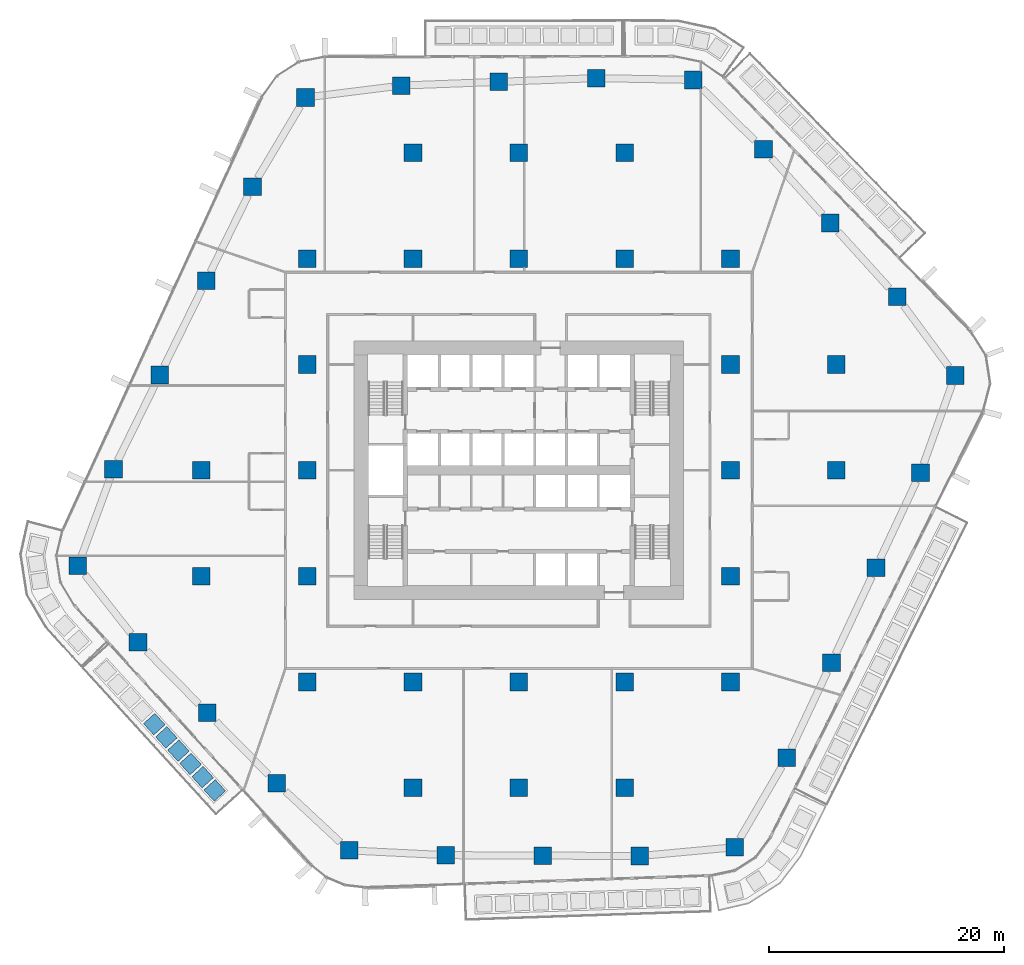
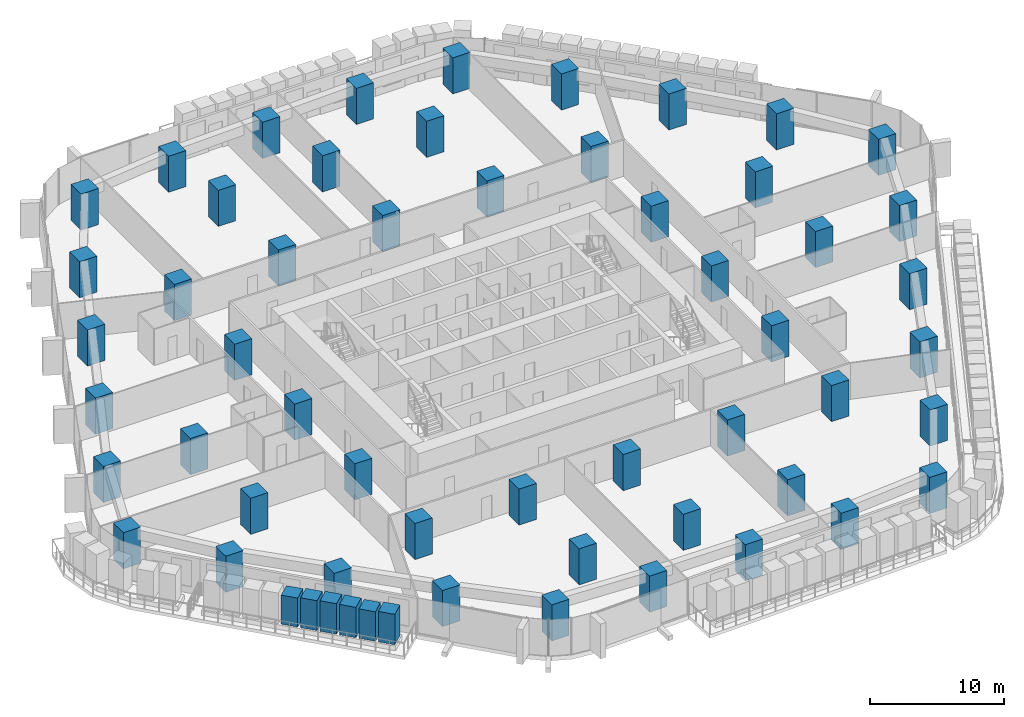
# One storey, part 1 of 26: 52 columns, 6 members.
"""IFC4 building model written with IfcOpenShell, lengths in metres."""

from ifc_helpers import new_model, si_unit, direction, frame, origin, origin_2d, place, context, subcontext, project, spatial, rectangle, extrude, material, material_profile, profile_set, type_object, element, save


model = new_model("IFC4")

# Units and contexts
model_context = context("Model", 3, precision=1e-05, world=origin(), true_north=direction((0.0, 1.0)))
body_context = subcontext(model_context, "Body", "Model", "MODEL_VIEW")
ifc_project = project(units=[si_unit("LENGTHUNIT", "METRE"), si_unit("AREAUNIT", "SQUARE_METRE"), si_unit("VOLUMEUNIT", "CUBIC_METRE"), si_unit("PLANEANGLEUNIT", "RADIAN"), si_unit("MASSUNIT", "GRAM", prefix="KILO")], contexts=[model_context])

# Site, building, storey
site_placement = place(None, origin())
site = spatial("IfcSite", under=ifc_project, at=site_placement, CompositionType="ELEMENT")
building_placement = place(site_placement, origin())
building = spatial("IfcBuilding", under=site, at=building_placement, Name="Dongbaek Canopy Tower", CompositionType="ELEMENT")
storey_placement = place(building_placement, frame((0.0, 0.0, 69.89990234375)))
storey = spatial("IfcBuildingStorey", under=building, at=storey_placement, Name="L13", CompositionType="ELEMENT", Elevation=69.89990234375)

# Columns
ifc_material_1 = material(Name="Concrete C80", Category="concrete")
ifc_material_profile_1 = material_profile(ifc_material_1, rectangle(XDim=1.5, YDim=1.5, at=origin_2d()), Name="RC COLUMN 1500x1500 C80")
ifc_profile_set_1 = profile_set([ifc_material_profile_1], Name="Concrete C80")
column_type = type_object("IfcColumnType", Name="RC COLUMN 1500x1500 C80", PredefinedType="COLUMN", material=ifc_profile_set_1)
for number, where, z_axis, x_axis, name in (
    (1, (18.367919921875, -32.04296875, 0.0), (0.0, 0.0, 1.0), (1.0, 0.0, 0.0), "COL:CZ1-01:L13"),
    (2, (10.277099609375, -32.7900390625, 0.0), (0.0, 0.0, 1.0), (1.0, 0.0, 0.0), "COL:CZ1-02:L13"),
    (3, (2.027099609375, -32.7529296875, 0.0), (0.0, 0.0, 1.0), (1.0, 0.0, 0.0), "COL:CZ1-03:L13"),
    (4, (-6.221923828125, -32.717041015625, 0.0), (0.0, 0.0, 1.0), (1.0, 0.0, 0.0), "COL:CZ1-04:L13"),
    (5, (-14.43408203125, -32.31298828125, 0.0), (0.0, 0.0, 1.0), (1.0, 0.0, 0.0), "COL:CZ1-05:L13"),
    (6, (-20.573974609375, -26.60205078125, 0.0), (0.0, 0.0, 1.0), (1.0, 0.0, 0.0), "COL:CZ1-06:L13"),
    (7, (-26.47802734375, -20.60791015625, 0.0), (0.0, 0.0, 1.0), (1.0, 0.0, 0.0), "COL:CZ1-07:L13"),
    (8, (-32.382080078125, -14.613037109375, 0.0), (0.0, 0.0, 1.0), (1.0, 0.0, 0.0), "COL:CZ1-08:L13"),
    (9, (-37.489013671875, -8.123046875, 0.0), (0.0, 0.0, 1.0), (1.0, 0.0, 0.0), "COL:CZ1-09:L13"),
    (10, (-34.462890625, 0.10302734375, 0.0), (0.0, 0.0, 1.0), (1.0, 0.0, 0.0), "COL:CZ1-10:L13"),
    (11, (-30.52490234375, 8.111083984375, 0.0), (0.0, 0.0, 1.0), (1.0, 0.0, 0.0), "COL:CZ1-11:L13"),
    (12, (-26.5859375, 16.117919921875, 0.0), (0.0, 0.0, 1.0), (1.0, 0.0, 0.0), "COL:CZ1-12:L13"),
    (13, (-22.64794921875, 24.125, 0.0), (0.0, 0.0, 1.0), (1.0, 0.0, 0.0), "COL:CZ1-13:L13"),
    (14, (-18.138916015625, 31.698974609375, 0.0), (0.0, 0.0, 1.0), (1.0, 0.0, 0.0), "COL:CZ1-14:L13"),
    (15, (-10.006103515625, 32.714111328125, 0.0), (0.0, 0.0, 1.0), (1.0, 0.0, 0.0), "COL:CZ1-15:L13"),
    (16, (-1.7080078125, 33.031982421875, 0.0), (0.0, 0.0, 1.0), (1.0, 0.0, 0.0), "COL:CZ1-16:L13"),
    (17, (6.589111328125, 33.34912109375, 0.0), (0.0, 0.0, 1.0), (1.0, 0.0, 0.0), "COL:CZ1-17:L13"),
    (18, (14.830078125, 33.194091796875, 0.0), (0.0, 0.0, 1.0), (1.0, 0.0, 0.0), "COL:CZ1-18:L13"),
    (19, (20.804931640625, 27.297119140625, 0.0), (0.0, 0.0, 1.0), (1.0, 0.0, 0.0), "COL:CZ1-19:L13"),
    (20, (26.48193359375, 21.029052734375, 0.0), (0.0, 0.0, 1.0), (1.0, 0.0, 0.0), "COL:CZ1-20:L13"),
    (21, (32.157958984375, 14.760986328125, 0.0), (0.0, 0.0, 1.0), (1.0, 0.0, 0.0), "COL:CZ1-21:L13"),
    (22, (37.097900390625, 8.06591796875, 0.0), (0.0, 0.0, 1.0), (1.0, 0.0, 0.0), "COL:CZ1-22:L13"),
    (23, (34.14306640625, -0.205078125, 0.0), (0.0, 0.0, 1.0), (1.0, 0.0, 0.0), "COL:CZ1-23:L13"),
    (24, (30.360107421875, -8.283935546875, 0.0), (0.0, 0.0, 1.0), (1.0, 0.0, 0.0), "COL:CZ1-24:L13"),
    (25, (26.575927734375, -16.364013671875, 0.0), (0.0, 0.0, 1.0), (1.0, 0.0, 0.0), "COL:CZ1-25:L13"),
    (26, (22.7919921875, -24.443115234375, 0.0), (0.0, 0.0, 1.0), (1.0, 0.0, 0.0), "COL:CZ1-26:L13"),
    (27, (-27.0, -9.0, 0.0), (0.0, 0.0, 1.0), (1.0, 0.0, 0.0), "COL:CIZ1-01:L13"),
    (28, (-27.0, 0.0, 0.0), (0.0, 0.0, 1.0), (1.0, 0.0, 0.0), "COL:CIZ1-02:L13"),
    (29, (-18.0, -18.0, 0.0), (0.0, 0.0, 1.0), (1.0, 0.0, 0.0), "COL:CIZ1-03:L13"),
    (30, (-18.0, -9.0, 0.0), (0.0, 0.0, 1.0), (1.0, 0.0, 0.0), "COL:CIZ1-04:L13"),
    (31, (-18.0, 0.0, 0.0), (0.0, 0.0, 1.0), (1.0, 0.0, 0.0), "COL:CIZ1-05:L13"),
    (32, (-18.0, 9.0, 0.0), (0.0, 0.0, 1.0), (1.0, 0.0, 0.0), "COL:CIZ1-06:L13"),
    (33, (-18.0, 18.0, 0.0), (0.0, 0.0, 1.0), (1.0, 0.0, 0.0), "COL:CIZ1-07:L13"),
    (34, (-9.0, -27.0, 0.0), (0.0, 0.0, 1.0), (1.0, 0.0, 0.0), "COL:CIZ1-08:L13"),
    (35, (-9.0, -18.0, 0.0), (0.0, 0.0, 1.0), (1.0, 0.0, 0.0), "COL:CIZ1-09:L13"),
    (36, (-9.0, 18.0, 0.0), (0.0, 0.0, 1.0), (1.0, 0.0, 0.0), "COL:CIZ1-10:L13"),
    (37, (-9.0, 27.0, 0.0), (0.0, 0.0, 1.0), (1.0, 0.0, 0.0), "COL:CIZ1-11:L13"),
    (38, (0.0, -27.0, 0.0), (0.0, 0.0, 1.0), (1.0, 0.0, 0.0), "COL:CIZ1-12:L13"),
    (39, (0.0, -18.0, 0.0), (0.0, 0.0, 1.0), (1.0, 0.0, 0.0), "COL:CIZ1-13:L13"),
    (40, (0.0, 18.0, 0.0), (0.0, 0.0, 1.0), (1.0, 0.0, 0.0), "COL:CIZ1-14:L13"),
    (41, (0.0, 27.0, 0.0), (0.0, 0.0, 1.0), (1.0, 0.0, 0.0), "COL:CIZ1-15:L13"),
    (42, (9.0, -27.0, 0.0), (0.0, 0.0, 1.0), (1.0, 0.0, 0.0), "COL:CIZ1-16:L13"),
    (43, (9.0, -18.0, 0.0), (0.0, 0.0, 1.0), (1.0, 0.0, 0.0), "COL:CIZ1-17:L13"),
    (44, (9.0, 18.0, 0.0), (0.0, 0.0, 1.0), (1.0, 0.0, 0.0), "COL:CIZ1-18:L13"),
    (45, (9.0, 27.0, 0.0), (0.0, 0.0, 1.0), (1.0, 0.0, 0.0), "COL:CIZ1-19:L13"),
    (46, (18.0, -18.0, 0.0), (0.0, 0.0, 1.0), (1.0, 0.0, 0.0), "COL:CIZ1-20:L13"),
    (47, (18.0, -9.0, 0.0), (0.0, 0.0, 1.0), (1.0, 0.0, 0.0), "COL:CIZ1-21:L13"),
    (48, (18.0, 0.0, 0.0), (0.0, 0.0, 1.0), (1.0, 0.0, 0.0), "COL:CIZ1-22:L13"),
    (49, (18.0, 9.0, 0.0), (0.0, 0.0, 1.0), (1.0, 0.0, 0.0), "COL:CIZ1-23:L13"),
    (50, (18.0, 18.0, 0.0), (0.0, 0.0, 1.0), (1.0, 0.0, 0.0), "COL:CIZ1-24:L13"),
    (51, (27.0, 0.0, 0.0), (0.0, 0.0, 1.0), (1.0, 0.0, 0.0), "COL:CIZ1-25:L13"),
    (52, (27.0, 9.0, 0.0), (0.0, 0.0, 1.0), (1.0, 0.0, 0.0), "COL:CIZ1-26:L13"),
):
    element("IfcColumn", number, at=place(storey_placement, frame(where, z_axis=z_axis, x_axis=x_axis)), inside=storey, type_object=column_type, Name=name, PredefinedType="COLUMN", context=body_context, shape_type="SweptSolid", body=[
        extrude(rectangle(XDim=1.5, YDim=1.5, at=origin_2d()), origin(), (0.0, 0.0, 1.0), 3.300048828125),
    ])

# Members
ifc_material_2 = material(Name="Concrete C40/50 planter mass with planting", Category="concrete")
ifc_material_profile_2 = material_profile(ifc_material_2, rectangle(XDim=1.300048828125, YDim=1.300048828125, at=origin_2d()), Name="Terrace PLANTER shrub mass 1300 x 1300")
ifc_profile_set_2 = profile_set([ifc_material_profile_2], Name="Concrete C40/50 planter mass with planting")
member_type = type_object("IfcMemberType", Name="Terrace PLANTER shrub mass 1300 x 1300", PredefinedType="USERDEFINED", material=ifc_profile_set_2)
member_1_placement = place(storey_placement, frame((-30.9951171875, -21.578369140625, 0.420166015625), z_axis=(0.0, 0.0, 1.0), x_axis=(-0.738720005108, -0.674012428708, 0.0)))
element("IfcMember", 53, at=member_1_placement, inside=storey, type_object=member_type, Name="Planter shrubs L13 3.5", ObjectType="PLANTER", PredefinedType="USERDEFINED", context=body_context, shape_type="SweptSolid", body=[
    extrude(rectangle(XDim=1.300048828125, YDim=1.300048828125, at=origin_2d()), origin(), (0.0, 0.0, 1.0), 2.64990234375),
])
member_2_placement = place(storey_placement, frame((-29.967041015625, -22.705322265625, 0.420166015625), z_axis=(0.0, 0.0, 1.0), x_axis=(-0.738720005108, -0.674012428708, 0.0)))
element("IfcMember", 54, at=member_2_placement, inside=storey, type_object=member_type, Name="Planter shrubs L13 3.6", ObjectType="PLANTER", PredefinedType="USERDEFINED", context=body_context, shape_type="SweptSolid", body=[
    extrude(rectangle(XDim=1.300048828125, YDim=1.300048828125, at=origin_2d()), origin(), (0.0, 0.0, 1.0), 2.72998046875),
])
member_3_placement = place(storey_placement, frame((-28.93896484375, -23.83203125, 0.420166015625), z_axis=(0.0, 0.0, 1.0), x_axis=(-0.738720005108, -0.674012428708, 0.0)))
element("IfcMember", 55, at=member_3_placement, inside=storey, type_object=member_type, Name="Planter shrubs L13 3.7", ObjectType="PLANTER", PredefinedType="USERDEFINED", context=body_context, shape_type="SweptSolid", body=[
    extrude(rectangle(XDim=1.300048828125, YDim=1.300048828125, at=origin_2d()), origin(), (0.0, 0.0, 1.0), 2.780029296875),
])
member_4_placement = place(storey_placement, frame((-27.91064453125, -24.958740234375, 0.420166015625), z_axis=(0.0, 0.0, 1.0), x_axis=(-0.738720005108, -0.674012428708, 0.0)))
element("IfcMember", 56, at=member_4_placement, inside=storey, type_object=member_type, Name="Planter shrubs L13 3.8", ObjectType="PLANTER", PredefinedType="USERDEFINED", context=body_context, shape_type="SweptSolid", body=[
    extrude(rectangle(XDim=1.300048828125, YDim=1.300048828125, at=origin_2d()), origin(), (0.0, 0.0, 1.0), 2.77001953125),
])
member_5_placement = place(storey_placement, frame((-26.882568359375, -26.085693359375, 0.420166015625), z_axis=(0.0, 0.0, 1.0), x_axis=(-0.738720005108, -0.674012428708, 0.0)))
element("IfcMember", 57, at=member_5_placement, inside=storey, type_object=member_type, Name="Planter shrubs L13 3.9", ObjectType="PLANTER", PredefinedType="USERDEFINED", context=body_context, shape_type="SweptSolid", body=[
    extrude(rectangle(XDim=1.300048828125, YDim=1.300048828125, at=origin_2d()), origin(), (0.0, 0.0, 1.0), 2.68994140625),
])
member_6_placement = place(storey_placement, frame((-25.8544921875, -27.21240234375, 0.420166015625), z_axis=(0.0, 0.0, 1.0), x_axis=(-0.738720005108, -0.674012428708, 0.0)))
element("IfcMember", 58, at=member_6_placement, inside=storey, type_object=member_type, Name="Planter shrubs L13 3.10", ObjectType="PLANTER", PredefinedType="USERDEFINED", context=body_context, shape_type="SweptSolid", body=[
    extrude(rectangle(XDim=1.300048828125, YDim=1.300048828125, at=origin_2d()), origin(), (0.0, 0.0, 1.0), 2.780029296875),
])

save(model, "model.ifc")
